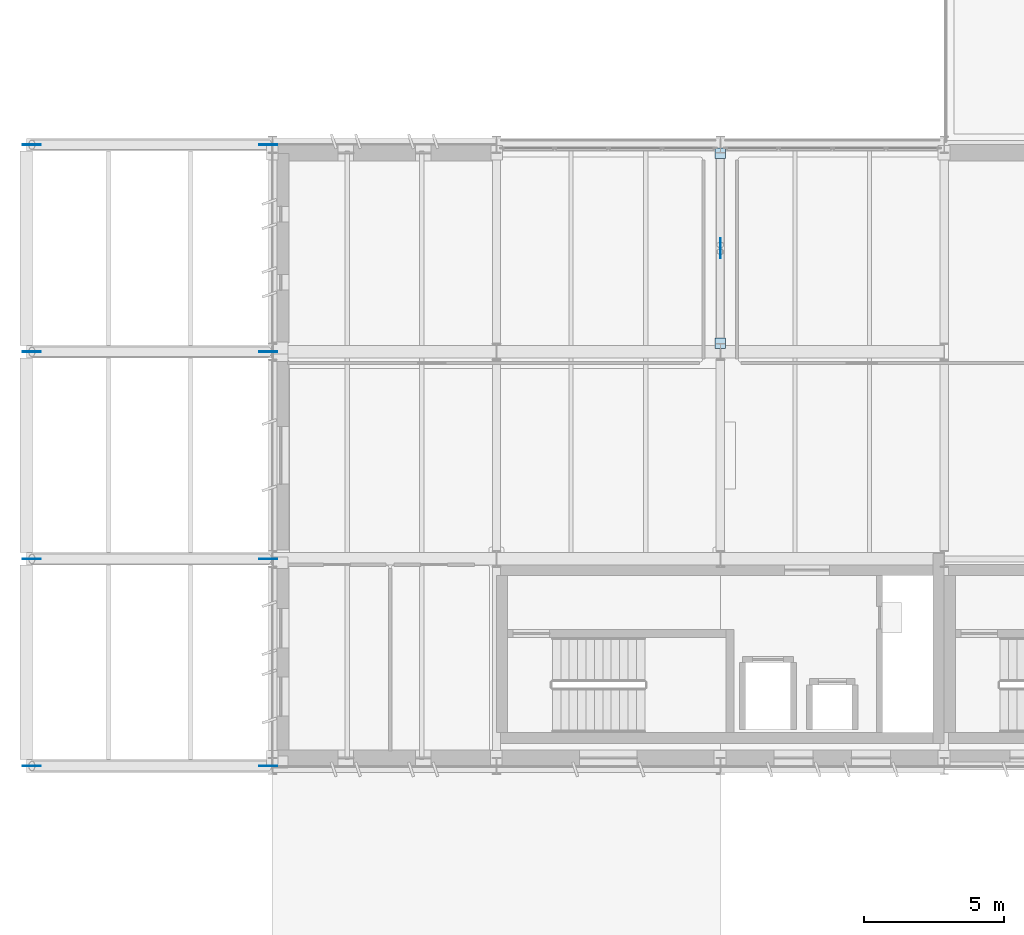
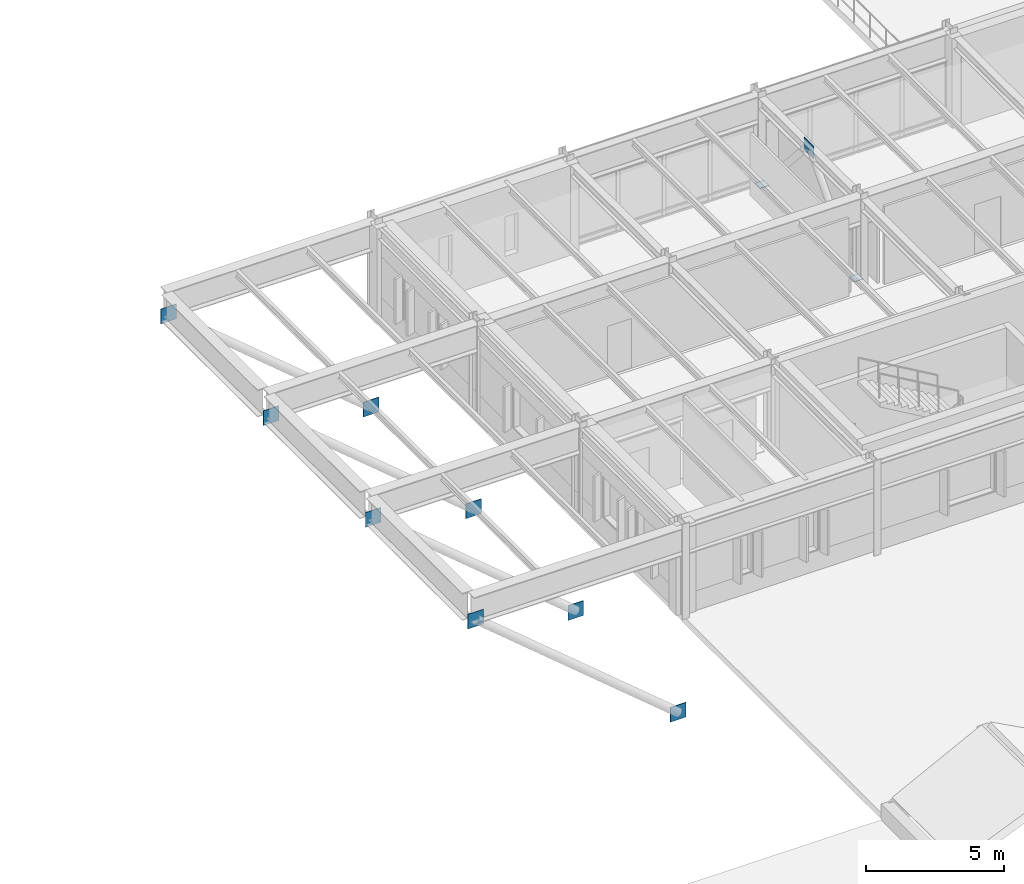
# One storey, part 35 of 63: 11 plates.
"""IFC4 building model written with IfcOpenShell, lengths in metres."""

from ifc_helpers import new_model, si_unit, direction, frame, origin, origin_2d, place, context, subcontext, project, spatial, rectangle, extrude, material, layer, layer_set, type_object, element, save


model = new_model("IFC4")

# Units and contexts
model_context = context("Model", 3, precision=1e-05, world=origin(), true_north=direction((0.0, 1.0)))
body_context = subcontext(model_context, "Body", "Model", "MODEL_VIEW")
ifc_project = project(units=[si_unit("LENGTHUNIT", "METRE"), si_unit("AREAUNIT", "SQUARE_METRE"), si_unit("VOLUMEUNIT", "CUBIC_METRE"), si_unit("PLANEANGLEUNIT", "RADIAN"), si_unit("MASSUNIT", "GRAM", prefix="KILO")], contexts=[model_context])

# Site, building, storey
site_placement = place(None, origin())
site = spatial("IfcSite", under=ifc_project, at=site_placement, CompositionType="ELEMENT")
building_placement = place(site_placement, origin())
building = spatial("IfcBuilding", under=site, at=building_placement, Name="Valkorina Park Police Headquarters", CompositionType="ELEMENT")
storey_placement = place(building_placement, frame((0.0, 0.0, 9.89990234375)))
storey = spatial("IfcBuildingStorey", under=building, at=storey_placement, Name="L03", CompositionType="ELEMENT", Elevation=9.89990234375)

# Plates
ifc_material = material(Name="Steel S355", Category="steel")
ifc_layer_1 = layer(ifc_material, 0.02001953125)
ifc_layer_set_1 = layer_set([ifc_layer_1], Name="Steel S355")
plate_type_1 = type_object("IfcPlateType", Name="PL-ENDCAP-20", PredefinedType="USERDEFINED", material=ifc_layer_set_1)
for number, where, z_axis, x_axis, name in (
    (1, (24.800048828125, 52.10009765625, 0.090087890625), (0.0, 0.0, 1.0), (1.0, 0.0, 0.0), "Brace Base End Cap Plate 205"),
    (2, (24.800048828125, 58.89990234375, 0.090087890625), (0.0, 0.0, 1.0), (1.0, 0.0, 0.0), "Brace Base End Cap Plate 206"),
):
    element("IfcPlate", number, at=place(storey_placement, frame(where, z_axis=z_axis, x_axis=x_axis)), inside=storey, type_object=plate_type_1, Name=name, ObjectType="END CAP PLATE", PredefinedType="USERDEFINED", context=body_context, shape_type="SweptSolid", body=[
        extrude(rectangle(XDim=0.3798828125, YDim=0.3798828125, at=origin_2d()), origin(), (0.0, 0.0, 1.0), 0.02001953125),
    ])
ifc_layer_2 = layer(ifc_material, 0.01611328125)
ifc_layer_set_2 = layer_set([ifc_layer_2], Name="Steel S355")
plate_type_2 = type_object("IfcPlateType", Name="PL-GUSSET-16", PredefinedType="USERDEFINED", material=ifc_layer_set_2)
plate_placement = place(storey_placement, frame((24.800048828125, 55.5, 3.48486328125), z_axis=(0.0, 0.0, 1.0), x_axis=(1.0, 0.0, 0.0)))
element("IfcPlate", 3, at=plate_placement, inside=storey, type_object=plate_type_2, Name="Chevron Apex Gusset Plate CBF-08 207", ObjectType="GUSSET PLATE", PredefinedType="USERDEFINED", context=body_context, shape_type="SweptSolid", body=[
    extrude(rectangle(XDim=0.01611328125, YDim=0.699951171875, at=origin_2d()), origin(), (0.0, 0.0, 1.0), 0.550048828125),
])
ifc_layer_3 = layer(ifc_material, 0.02392578125)
ifc_layer_set_3 = layer_set([ifc_layer_3], Name="Steel S355")
plate_type_3 = type_object("IfcPlateType", Name="PL-GUSSET-24", PredefinedType="USERDEFINED", material=ifc_layer_set_3)
for number, where, z_axis, x_axis, name in (
    (4, (8.64990234375, 37.0, -4.574951171875), (0.0, 0.0, 1.0), (1.0, 0.0, 0.0), "Cantilever Raking Strut Base Gusset Plate 188"),
    (5, (0.199951171875, 37.0, 2.4951171875), (0.0, 0.0, 1.0), (1.0, 0.0, 0.0), "Cantilever Raking Strut Tip Gusset Plate 189"),
    (6, (8.64990234375, 44.39990234375, -4.574951171875), (0.0, 0.0, 1.0), (1.0, 0.0, 0.0), "Cantilever Raking Strut Base Gusset Plate 190"),
    (7, (0.199951171875, 44.39990234375, 2.4951171875), (0.0, 0.0, 1.0), (1.0, 0.0, 0.0), "Cantilever Raking Strut Tip Gusset Plate 191"),
    (8, (8.64990234375, 51.800048828125, -4.574951171875), (0.0, 0.0, 1.0), (1.0, 0.0, 0.0), "Cantilever Raking Strut Base Gusset Plate 192"),
    (9, (0.199951171875, 51.800048828125, 2.4951171875), (0.0, 0.0, 1.0), (1.0, 0.0, 0.0), "Cantilever Raking Strut Tip Gusset Plate 193"),
    (10, (8.64990234375, 59.199951171875, -4.574951171875), (0.0, 0.0, 1.0), (1.0, 0.0, 0.0), "Cantilever Raking Strut Base Gusset Plate 194"),
    (11, (0.199951171875, 59.199951171875, 2.4951171875), (0.0, 0.0, 1.0), (1.0, 0.0, 0.0), "Cantilever Raking Strut Tip Gusset Plate 195"),
):
    element("IfcPlate", number, at=place(storey_placement, frame(where, z_axis=z_axis, x_axis=x_axis)), inside=storey, type_object=plate_type_3, Name=name, ObjectType="GUSSET PLATE", PredefinedType="USERDEFINED", context=body_context, shape_type="SweptSolid", body=[
        extrude(rectangle(XDim=0.64990234375, YDim=0.02392578125, at=origin_2d()), origin(), (0.0, 0.0, 1.0), 0.64990234375),
    ])

save(model, "model.ifc")
